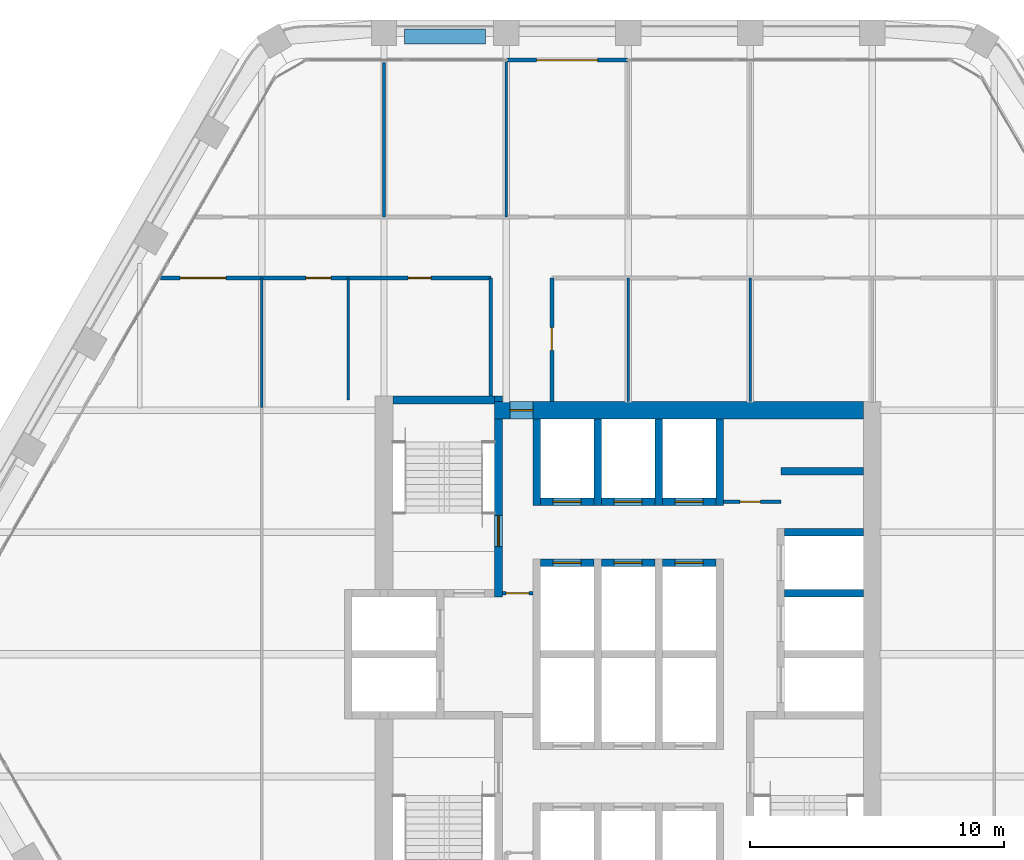
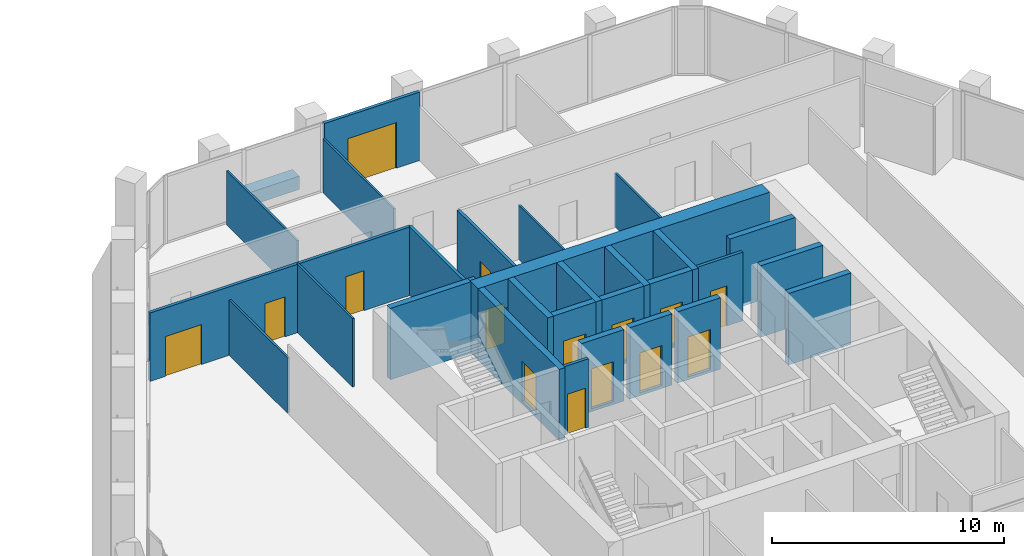
# One storey, part 14 of 18: 30 walls, 15 doors, 15 openings.
"""IFC4 building model written with IfcOpenShell, lengths in metres."""

from ifc_helpers import new_model, si_unit, direction, frame, frame_2d, origin, place, context, subcontext, project, spatial, rectangle, extrude, material, layer, layer_set, type_object, element, fill, save


model = new_model("IFC4")

# Units and contexts
model_context = context("Model", 3, precision=1e-05, world=origin(), true_north=direction((0.0, 1.0)))
body_context = subcontext(model_context, "Body", "Model", "MODEL_VIEW")
ifc_project = project(units=[si_unit("LENGTHUNIT", "METRE"), si_unit("AREAUNIT", "SQUARE_METRE"), si_unit("VOLUMEUNIT", "CUBIC_METRE"), si_unit("PLANEANGLEUNIT", "RADIAN"), si_unit("MASSUNIT", "GRAM", prefix="KILO")], contexts=[model_context])

# Site, building, storey
site_placement = place(None, origin())
site = spatial("IfcSite", under=ifc_project, at=site_placement, CompositionType="ELEMENT")
building_placement = place(site_placement, origin())
building = spatial("IfcBuilding", under=site, at=building_placement, Name="Kolab Exchange Tower", CompositionType="ELEMENT")
storey_placement = place(building_placement, frame((0.0, 0.0, 212.89990234375)))
storey = spatial("IfcBuildingStorey", under=building, at=storey_placement, Name="L46", CompositionType="ELEMENT", Elevation=212.89990234375)

# Wall, opening, door
ifc_material_1 = material(Name="Concrete C60/75", Category="concrete")
ifc_layer_1 = layer(ifc_material_1, 0.699951171875)
ifc_layer_set_1 = layer_set([ifc_layer_1], Name="Concrete C60/75")
wall_type_1 = type_object("IfcWallType", Name="CORE WALL 700 C60/75", PredefinedType="SHEAR", material=ifc_layer_set_1)
wall_1_placement = place(storey_placement, frame((-5.25, 9.60009765625, -0.14990234375), z_axis=(0.0, 0.0, 1.0), x_axis=(1.0, 0.0, 0.0)))
wall_1 = element("IfcWall", 1, at=wall_1_placement, inside=storey, type_object=wall_type_1, Name="wall/L46/core/031", PredefinedType="SHEAR", context=body_context, shape_type="SweptSolid", body=[
    extrude(rectangle(XDim=14.5, YDim=0.699951171875, at=frame_2d((7.25, 0.0))), origin(), (0.0, 0.0, 1.0), 3.75),
])
opening_1_placement = place(wall_1_placement, frame((0.60009765625, 0.0, 0.14990234375)))
opening_1 = element("IfcOpeningElement", 2, at=opening_1_placement, cuts=wall_1, Name="Opening D6-290", PredefinedType="OPENING", context=body_context, shape_type="SweptSolid", body=[
    extrude(rectangle(XDim=0.89990234375, YDim=2.10009765625, at=frame_2d((0.449951171875, 1.050048828125))), frame((0.0, 0.35986328125, 0.0), z_axis=(0.0, -1.0, 0.0), x_axis=(1.0, 0.0, 0.0)), (0.0, 0.0, 1.0), 0.719970703125),
])
ifc_material_2 = material(Name="Steel S235", Category="steel")
door_type_1 = type_object("IfcDoorType", Name="CORE DOOR 900 EI 120", OperationType="SINGLE_SWING_LEFT", PredefinedType="DOOR", material=ifc_material_2)
door_1_placement = place(opening_1_placement, frame((0.89990234375, 0.0, 0.0), z_axis=(0.0, 0.0, 1.0), x_axis=(-1.0, 0.0, 0.0)))
door_1 = element("IfcDoor", 3, at=door_1_placement, inside=storey, type_object=door_type_1, Name="Core lobby door", OperationType="SINGLE_SWING_RIGHT", OverallHeight=2.10009765625, OverallWidth=0.89990234375, PredefinedType="DOOR", context=body_context, shape_type="SweptSolid", body=[
    extrude(rectangle(XDim=0.89990234375, YDim=2.10009765625, at=frame_2d((0.449951171875, 1.050048828125))), frame((0.0, 0.02490234375, 0.0), z_axis=(0.0, -1.0, 0.0), x_axis=(1.0, 0.0, 0.0)), (0.0, 0.0, 1.0), 0.050048828125),
])
fill(opening_1, door_1)

ifc_material_3 = material(Name="Aluminium EN AW-6063 T6", Category="aluminium")
ifc_layer_2 = layer(ifc_material_3, 0.159912109375)
ifc_layer_set_2 = layer_set([ifc_layer_2], Name="Aluminium EN AW-6063 T6")
wall_type_2 = type_object("IfcWallType", Name="DOOR SURROUND WALL 160 ALUMINIUM FRAMED", PredefinedType="PARTITIONING", material=ifc_layer_set_2)
wall_2_placement = place(storey_placement, frame((-4.77001953125, 23.361572265625, 0.0), z_axis=(0.0, 0.0, 1.0), x_axis=(1.0, 0.0, 0.0)))
wall_2 = element("IfcWall", 4, at=wall_2_placement, inside=storey, type_object=wall_type_2, Name="Door surround wall", PredefinedType="PARTITIONING", context=body_context, shape_type="SweptSolid", body=[
    extrude(rectangle(XDim=4.739990234375, YDim=0.159912109375, at=frame_2d((2.3701171875, 0.0))), origin(), (0.0, 0.0, 1.0), 3.60009765625),
])
opening_2_placement = place(wall_2_placement, frame((1.169921875, 0.0, 0.0)))
opening_2 = element("IfcOpeningElement", 5, at=opening_2_placement, cuts=wall_2, Name="Opening GD1-070", PredefinedType="OPENING", context=body_context, shape_type="SweptSolid", body=[
    extrude(rectangle(XDim=2.39990234375, YDim=2.39990234375, at=frame_2d((1.199951171875, 1.199951171875))), frame((0.0, 0.08984375, 0.0), z_axis=(0.0, -1.0, 0.0), x_axis=(1.0, 0.0, 0.0)), (0.0, 0.0, 1.0), 0.179931640625),
])
door_type_2 = type_object("IfcDoorType", Name="LOGGIA SLIDING GLASS DOOR 2400 X 2400", OperationType="DOUBLE_DOOR_SINGLE_SWING", PredefinedType="DOOR", material=ifc_material_3)
door_2_placement = place(opening_2_placement, origin())
door_2 = element("IfcDoor", 6, at=door_2_placement, inside=storey, type_object=door_type_2, Name="Loggia door", OperationType="DOUBLE_DOOR_SLIDING", OverallHeight=2.39990234375, OverallWidth=2.39990234375, PredefinedType="DOOR", context=body_context, shape_type="SweptSolid", body=[
    extrude(rectangle(XDim=2.39990234375, YDim=2.39990234375, at=frame_2d((1.199951171875, 1.199951171875))), frame((0.0, 0.02490234375, 0.0), z_axis=(0.0, -1.0, 0.0), x_axis=(1.0, 0.0, 0.0)), (0.0, 0.0, 1.0), 0.050048828125),
])
fill(opening_2, door_2)

# Wall
ifc_material_4 = material(Name="Concrete C50/60", Category="concrete")
ifc_layer_3 = layer(ifc_material_4, 0.300048828125)
ifc_layer_set_3 = layer_set([ifc_layer_3], Name="Concrete C50/60")
wall_type_3 = type_object("IfcWallType", Name="LIFT SHAFT WALL 300 C50/60", PredefinedType="STANDARD", material=ifc_layer_set_3)
wall_3_placement = place(storey_placement, frame((6.14990234375, 2.39990234375, -0.14990234375), z_axis=(0.0, 0.0, 1.0), x_axis=(1.0, 0.0, 0.0)))
element("IfcWall", 7, at=wall_3_placement, inside=storey, type_object=wall_type_3, Name="wall/L46/core/022", PredefinedType="STANDARD", context=body_context, shape_type="SweptSolid", body=[
    extrude(rectangle(XDim=3.10009765625, YDim=0.300048828125, at=frame_2d((1.550048828125, 0.0))), origin(), (0.0, 0.0, 1.0), 3.75),
])

# Wall, opening, door
wall_4_placement = place(storey_placement, frame((-3.449951171875, 3.60009765625, -0.14990234375), z_axis=(0.0, 0.0, 1.0), x_axis=(1.0, 0.0, 0.0)))
wall_4 = element("IfcWall", 8, at=wall_4_placement, inside=storey, type_object=wall_type_3, Name="wall/L46/core/023", PredefinedType="STANDARD", context=body_context, shape_type="SweptSolid", body=[
    extrude(rectangle(XDim=2.099853515625, YDim=0.300048828125, at=frame_2d((1.0498046875, 0.0))), origin(), (0.0, 0.0, 1.0), 3.75),
])
opening_3_placement = place(wall_4_placement, frame((0.5, 0.0, 0.14990234375)))
opening_3 = element("IfcOpeningElement", 9, at=opening_3_placement, cuts=wall_4, Name="Opening LD1-127", PredefinedType="OPENING", context=body_context, shape_type="SweptSolid", body=[
    extrude(rectangle(XDim=1.10009765625, YDim=2.10009765625, at=frame_2d((0.550048828125, 1.050048828125))), frame((0.0, 0.16015625, 0.0), z_axis=(0.0, -1.0, 0.0), x_axis=(1.0, 0.0, 0.0)), (0.0, 0.0, 1.0), 0.320068359375),
])
ifc_material_5 = material(Name="Stainless steel 316", Category="steel")
door_type_3 = type_object("IfcDoorType", Name="LANDING DOOR 1100 PASSENGER", OperationType="DOUBLE_DOOR_SLIDING", PredefinedType="DOOR", material=ifc_material_5)
door_3_placement = place(opening_3_placement, origin())
door_3 = element("IfcDoor", 10, at=door_3_placement, inside=storey, type_object=door_type_3, Name="Landing door HR4", OperationType="DOUBLE_DOOR_SLIDING", OverallHeight=2.10009765625, OverallWidth=1.10009765625, PredefinedType="DOOR", context=body_context, shape_type="SweptSolid", body=[
    extrude(rectangle(XDim=1.10009765625, YDim=2.10009765625, at=frame_2d((0.550048828125, 1.050048828125))), frame((0.0, 0.02490234375, 0.0), z_axis=(0.0, -1.0, 0.0), x_axis=(1.0, 0.0, 0.0)), (0.0, 0.0, 1.0), 0.050048828125),
])
fill(opening_3, door_3)

wall_5_placement = place(storey_placement, frame((-1.050048828125, 3.60009765625, -0.14990234375), z_axis=(0.0, 0.0, 1.0), x_axis=(1.0, 0.0, 0.0)))
wall_5 = element("IfcWall", 11, at=wall_5_placement, inside=storey, type_object=wall_type_3, Name="wall/L46/core/024", PredefinedType="STANDARD", context=body_context, shape_type="SweptSolid", body=[
    extrude(rectangle(XDim=2.10009765625, YDim=0.300048828125, at=frame_2d((1.050048828125, 0.0))), origin(), (0.0, 0.0, 1.0), 3.75),
])
opening_4_placement = place(wall_5_placement, frame((0.5, 0.0, 0.14990234375)))
opening_4 = element("IfcOpeningElement", 12, at=opening_4_placement, cuts=wall_5, Name="Opening LD1-128", PredefinedType="OPENING", context=body_context, shape_type="SweptSolid", body=[
    extrude(rectangle(XDim=1.10009765625, YDim=2.10009765625, at=frame_2d((0.550048828125, 1.050048828125))), frame((0.0, 0.16015625, 0.0), z_axis=(0.0, -1.0, 0.0), x_axis=(1.0, 0.0, 0.0)), (0.0, 0.0, 1.0), 0.320068359375),
])
door_4_placement = place(opening_4_placement, origin())
door_4 = element("IfcDoor", 13, at=door_4_placement, inside=storey, type_object=door_type_3, Name="Landing door HR5", OperationType="DOUBLE_DOOR_SLIDING", OverallHeight=2.10009765625, OverallWidth=1.10009765625, PredefinedType="DOOR", context=body_context, shape_type="SweptSolid", body=[
    extrude(rectangle(XDim=1.10009765625, YDim=2.10009765625, at=frame_2d((0.550048828125, 1.050048828125))), frame((0.0, 0.02490234375, 0.0), z_axis=(0.0, -1.0, 0.0), x_axis=(1.0, 0.0, 0.0)), (0.0, 0.0, 1.0), 0.050048828125),
])
fill(opening_4, door_4)

wall_6_placement = place(storey_placement, frame((1.35009765625, 3.60009765625, -0.14990234375), z_axis=(0.0, 0.0, 1.0), x_axis=(1.0, 0.0, 0.0)))
wall_6 = element("IfcWall", 14, at=wall_6_placement, inside=storey, type_object=wall_type_3, Name="wall/L46/core/025", PredefinedType="STANDARD", context=body_context, shape_type="SweptSolid", body=[
    extrude(rectangle(XDim=2.099853515625, YDim=0.300048828125, at=frame_2d((1.0498046875, 0.0))), origin(), (0.0, 0.0, 1.0), 3.75),
])
opening_5_placement = place(wall_6_placement, frame((0.5, 0.0, 0.14990234375)))
opening_5 = element("IfcOpeningElement", 15, at=opening_5_placement, cuts=wall_6, Name="Opening LD1-129", PredefinedType="OPENING", context=body_context, shape_type="SweptSolid", body=[
    extrude(rectangle(XDim=1.10009765625, YDim=2.10009765625, at=frame_2d((0.550048828125, 1.050048828125))), frame((0.0, 0.16015625, 0.0), z_axis=(0.0, -1.0, 0.0), x_axis=(1.0, 0.0, 0.0)), (0.0, 0.0, 1.0), 0.320068359375),
])
door_5_placement = place(opening_5_placement, origin())
door_5 = element("IfcDoor", 16, at=door_5_placement, inside=storey, type_object=door_type_3, Name="Landing door HR6", OperationType="DOUBLE_DOOR_SLIDING", OverallHeight=2.10009765625, OverallWidth=1.10009765625, PredefinedType="DOOR", context=body_context, shape_type="SweptSolid", body=[
    extrude(rectangle(XDim=1.10009765625, YDim=2.10009765625, at=frame_2d((0.550048828125, 1.050048828125))), frame((0.0, 0.02490234375, 0.0), z_axis=(0.0, -1.0, 0.0), x_axis=(1.0, 0.0, 0.0)), (0.0, 0.0, 1.0), 0.050048828125),
])
fill(opening_5, door_5)

# Wall
wall_7_placement = place(storey_placement, frame((6.14990234375, 4.800048828125, -0.14990234375), z_axis=(0.0, 0.0, 1.0), x_axis=(1.0, 0.0, 0.0)))
element("IfcWall", 17, at=wall_7_placement, inside=storey, type_object=wall_type_3, Name="wall/L46/core/026", PredefinedType="STANDARD", context=body_context, shape_type="SweptSolid", body=[
    extrude(rectangle(XDim=3.10009765625, YDim=0.300048828125, at=frame_2d((1.550048828125, 0.0))), origin(), (0.0, 0.0, 1.0), 3.75),
])

# Wall, opening, door
wall_8_placement = place(storey_placement, frame((-3.449951171875, 6.0, -0.14990234375), z_axis=(0.0, 0.0, 1.0), x_axis=(1.0, 0.0, 0.0)))
wall_8 = element("IfcWall", 18, at=wall_8_placement, inside=storey, type_object=wall_type_3, Name="wall/L46/core/027", PredefinedType="STANDARD", context=body_context, shape_type="SweptSolid", body=[
    extrude(rectangle(XDim=2.099853515625, YDim=0.300048828125, at=frame_2d((1.0498046875, 0.0))), origin(), (0.0, 0.0, 1.0), 3.75),
])
opening_6_placement = place(wall_8_placement, frame((0.5, 0.0, 0.14990234375)))
opening_6 = element("IfcOpeningElement", 19, at=opening_6_placement, cuts=wall_8, Name="Opening LD1-121", PredefinedType="OPENING", context=body_context, shape_type="SweptSolid", body=[
    extrude(rectangle(XDim=1.10009765625, YDim=2.10009765625, at=frame_2d((0.550048828125, 1.050048828125))), frame((0.0, 0.16015625, 0.0), z_axis=(0.0, -1.0, 0.0), x_axis=(1.0, 0.0, 0.0)), (0.0, 0.0, 1.0), 0.320068359375),
])
door_6_placement = place(opening_6_placement, origin())
door_6 = element("IfcDoor", 20, at=door_6_placement, inside=storey, type_object=door_type_3, Name="Landing door HR1", OperationType="DOUBLE_DOOR_SLIDING", OverallHeight=2.10009765625, OverallWidth=1.10009765625, PredefinedType="DOOR", context=body_context, shape_type="SweptSolid", body=[
    extrude(rectangle(XDim=1.10009765625, YDim=2.10009765625, at=frame_2d((0.550048828125, 1.050048828125))), frame((0.0, 0.02490234375, 0.0), z_axis=(0.0, -1.0, 0.0), x_axis=(1.0, 0.0, 0.0)), (0.0, 0.0, 1.0), 0.050048828125),
])
fill(opening_6, door_6)

wall_9_placement = place(storey_placement, frame((-1.050048828125, 6.0, -0.14990234375), z_axis=(0.0, 0.0, 1.0), x_axis=(1.0, 0.0, 0.0)))
wall_9 = element("IfcWall", 21, at=wall_9_placement, inside=storey, type_object=wall_type_3, Name="wall/L46/core/028", PredefinedType="STANDARD", context=body_context, shape_type="SweptSolid", body=[
    extrude(rectangle(XDim=2.10009765625, YDim=0.300048828125, at=frame_2d((1.050048828125, 0.0))), origin(), (0.0, 0.0, 1.0), 3.75),
])
opening_7_placement = place(wall_9_placement, frame((0.5, 0.0, 0.14990234375)))
opening_7 = element("IfcOpeningElement", 22, at=opening_7_placement, cuts=wall_9, Name="Opening LD1-125", PredefinedType="OPENING", context=body_context, shape_type="SweptSolid", body=[
    extrude(rectangle(XDim=1.10009765625, YDim=2.10009765625, at=frame_2d((0.550048828125, 1.050048828125))), frame((0.0, 0.16015625, 0.0), z_axis=(0.0, -1.0, 0.0), x_axis=(1.0, 0.0, 0.0)), (0.0, 0.0, 1.0), 0.320068359375),
])
door_7_placement = place(opening_7_placement, origin())
door_7 = element("IfcDoor", 23, at=door_7_placement, inside=storey, type_object=door_type_3, Name="Landing door HR2", OperationType="DOUBLE_DOOR_SLIDING", OverallHeight=2.10009765625, OverallWidth=1.10009765625, PredefinedType="DOOR", context=body_context, shape_type="SweptSolid", body=[
    extrude(rectangle(XDim=1.10009765625, YDim=2.10009765625, at=frame_2d((0.550048828125, 1.050048828125))), frame((0.0, 0.02490234375, 0.0), z_axis=(0.0, -1.0, 0.0), x_axis=(1.0, 0.0, 0.0)), (0.0, 0.0, 1.0), 0.050048828125),
])
fill(opening_7, door_7)

wall_10_placement = place(storey_placement, frame((1.35009765625, 6.0, -0.14990234375), z_axis=(0.0, 0.0, 1.0), x_axis=(1.0, 0.0, 0.0)))
wall_10 = element("IfcWall", 24, at=wall_10_placement, inside=storey, type_object=wall_type_3, Name="wall/L46/core/029", PredefinedType="STANDARD", context=body_context, shape_type="SweptSolid", body=[
    extrude(rectangle(XDim=2.099853515625, YDim=0.300048828125, at=frame_2d((1.0498046875, 0.0))), origin(), (0.0, 0.0, 1.0), 3.75),
])
opening_8_placement = place(wall_10_placement, frame((0.5, 0.0, 0.14990234375)))
opening_8 = element("IfcOpeningElement", 25, at=opening_8_placement, cuts=wall_10, Name="Opening LD1-126", PredefinedType="OPENING", context=body_context, shape_type="SweptSolid", body=[
    extrude(rectangle(XDim=1.10009765625, YDim=2.10009765625, at=frame_2d((0.550048828125, 1.050048828125))), frame((0.0, 0.16015625, 0.0), z_axis=(0.0, -1.0, 0.0), x_axis=(1.0, 0.0, 0.0)), (0.0, 0.0, 1.0), 0.320068359375),
])
door_8_placement = place(opening_8_placement, origin())
door_8 = element("IfcDoor", 26, at=door_8_placement, inside=storey, type_object=door_type_3, Name="Landing door HR3", OperationType="DOUBLE_DOOR_SLIDING", OverallHeight=2.10009765625, OverallWidth=1.10009765625, PredefinedType="DOOR", context=body_context, shape_type="SweptSolid", body=[
    extrude(rectangle(XDim=1.10009765625, YDim=2.10009765625, at=frame_2d((0.550048828125, 1.050048828125))), frame((0.0, 0.02490234375, 0.0), z_axis=(0.0, -1.0, 0.0), x_axis=(1.0, 0.0, 0.0)), (0.0, 0.0, 1.0), 0.050048828125),
])
fill(opening_8, door_8)

# Walls
wall_11_placement = place(storey_placement, frame((6.0, 7.199951171875, -0.14990234375), z_axis=(0.0, 0.0, 1.0), x_axis=(1.0, 0.0, 0.0)))
element("IfcWall", 27, at=wall_11_placement, inside=storey, type_object=wall_type_3, Name="wall/L46/core/030", PredefinedType="STANDARD", context=body_context, shape_type="SweptSolid", body=[
    extrude(rectangle(XDim=3.25, YDim=0.300048828125, at=frame_2d((1.625, 0.0))), origin(), (0.0, 0.0, 1.0), 3.75),
])
for number, where, z_axis, x_axis, name in (
    (28, (-3.60009765625, 5.85009765625, -0.14990234375), (0.0, 0.0, 1.0), (0.0, 1.0, 0.0), "wall/L46/core/045"),
    (29, (-1.199951171875, 5.85009765625, -0.14990234375), (0.0, 0.0, 1.0), (0.0, 1.0, 0.0), "wall/L46/core/048"),
    (30, (1.199951171875, 5.85009765625, -0.14990234375), (0.0, 0.0, 1.0), (0.0, 1.0, 0.0), "wall/L46/core/051"),
    (31, (3.60009765625, 5.85009765625, -0.14990234375), (0.0, 0.0, 1.0), (0.0, 1.0, 0.0), "wall/L46/core/054"),
):
    element("IfcWall", number, at=place(storey_placement, frame(where, z_axis=z_axis, x_axis=x_axis)), inside=storey, type_object=wall_type_3, Name=name, PredefinedType="STANDARD", context=body_context, shape_type="SweptSolid", body=[
        extrude(rectangle(XDim=3.39990234375, YDim=0.300048828125, at=frame_2d((1.699951171875, 0.0))), origin(), (0.0, 0.0, 1.0), 3.75),
    ])
ifc_material_6 = material(Name="Gypsum board", Category="gypsum")
ifc_layer_4 = layer(ifc_material_6, 0.10009765625)
ifc_layer_set_4 = layer_set([ifc_layer_4], Name="Gypsum board")
wall_type_4 = type_object("IfcWallType", Name="PARTITION 100", PredefinedType="PARTITIONING", material=ifc_layer_set_4)
for number, where, z_axis, x_axis, name in (
    (32, (4.800048828125, 9.949951171875, 0.0), (0.0, 0.0, 1.0), (0.0, 1.0, 0.0), "Partition 004"),
    (33, (0.0, 9.949951171875, 0.0), (0.0, 0.0, 1.0), (0.0, 1.0, 0.0), "Partition 008"),
):
    element("IfcWall", number, at=place(storey_placement, frame(where, z_axis=z_axis, x_axis=x_axis)), inside=storey, type_object=wall_type_4, Name=name, PredefinedType="PARTITIONING", context=body_context, shape_type="SweptSolid", body=[
        extrude(rectangle(XDim=4.85009765625, YDim=0.10009765625, at=frame_2d((2.425048828125, 0.0))), origin(), (0.0, 0.0, 1.0), 2.838134765625),
    ])
wall_12_placement = place(storey_placement, frame((-4.800048828125, 17.199951171875, 0.0), z_axis=(0.0, 0.0, 1.0), x_axis=(0.0, 1.0, 0.0)))
element("IfcWall", 34, at=wall_12_placement, inside=storey, type_object=wall_type_4, Name="Partition 012", PredefinedType="PARTITIONING", context=body_context, shape_type="SweptSolid", body=[
    extrude(rectangle(XDim=6.08154296875, YDim=0.10009765625, at=frame_2d((3.040771484375, 0.0))), origin(), (0.0, 0.0, 1.0), 2.838134765625),
])
wall_13_placement = place(storey_placement, frame((-9.60009765625, 17.199951171875, 0.0), z_axis=(0.0, 0.0, 1.0), x_axis=(0.0, 1.0, 0.0)))
element("IfcWall", 35, at=wall_13_placement, inside=storey, type_object=wall_type_4, Name="Partition 015", PredefinedType="PARTITIONING", context=body_context, shape_type="SweptSolid", body=[
    extrude(rectangle(XDim=6.071533203125, YDim=0.10009765625, at=frame_2d((3.03564453125, 0.0))), origin(), (0.0, 0.0, 1.0), 2.838134765625),
])
wall_14_placement = place(storey_placement, frame((-11.0, 10.0, 0.0), z_axis=(0.0, 0.0, 1.0), x_axis=(0.0, 1.0, 0.0)))
element("IfcWall", 36, at=wall_14_placement, inside=storey, type_object=wall_type_4, Name="Partition 017", PredefinedType="PARTITIONING", context=body_context, shape_type="SweptSolid", body=[
    extrude(rectangle(XDim=4.800048828125, YDim=0.10009765625, at=frame_2d((2.39990234375, 0.0))), origin(), (0.0, 0.0, 1.0), 3.60009765625),
])
wall_15_placement = place(storey_placement, frame((-14.39990234375, 9.7060546875, 0.0), z_axis=(0.0, 0.0, 1.0), x_axis=(0.0, 1.0, 0.0)))
element("IfcWall", 37, at=wall_15_placement, inside=storey, type_object=wall_type_4, Name="Partition 018", PredefinedType="PARTITIONING", context=body_context, shape_type="SweptSolid", body=[
    extrude(rectangle(XDim=5.093994140625, YDim=0.10009765625, at=frame_2d((2.546875, 0.0))), origin(), (0.0, 0.0, 1.0), 2.916015625),
])

# Wall, opening, door
ifc_layer_5 = layer(ifc_material_6, 0.14990234375)
ifc_layer_set_5 = layer_set([ifc_layer_5], Name="Gypsum board")
wall_type_5 = type_object("IfcWallType", Name="PARTITION 150 FIRE-RATED", PredefinedType="PARTITIONING", material=ifc_layer_set_5)
wall_16_placement = place(storey_placement, frame((-3.0, 9.949951171875, 0.0), z_axis=(0.0, 0.0, 1.0), x_axis=(0.0, 1.0, 0.0)))
wall_16 = element("IfcWall", 38, at=wall_16_placement, inside=storey, type_object=wall_type_5, Name="Partition 010", PredefinedType="PARTITIONING", context=body_context, shape_type="SweptSolid", body=[
    extrude(rectangle(XDim=4.85009765625, YDim=0.14990234375, at=frame_2d((2.425048828125, 0.0))), origin(), (0.0, 0.0, 1.0), 3.60009765625),
])
opening_9_placement = place(wall_16_placement, frame((2.0, 0.0, 0.0)))
opening_9 = element("IfcOpeningElement", 39, at=opening_9_placement, cuts=wall_16, Name="Opening D3-066", PredefinedType="OPENING", context=body_context, shape_type="SweptSolid", body=[
    extrude(rectangle(XDim=0.89990234375, YDim=2.10009765625, at=frame_2d((0.449951171875, 1.050048828125))), frame((0.0, 0.0849609375, 0.0), z_axis=(0.0, -1.0, 0.0), x_axis=(1.0, 0.0, 0.0)), (0.0, 0.0, 1.0), 0.169921875),
])
door_type_4 = type_object("IfcDoorType", Name="FLUSH DOOR 900 FD60", OperationType="SINGLE_SWING_LEFT", PredefinedType="DOOR", material=ifc_material_2)
door_9_placement = place(opening_9_placement, frame((0.89990234375, 0.0, 0.0), z_axis=(0.0, 0.0, 1.0), x_axis=(-1.0, 0.0, 0.0)))
door_9 = element("IfcDoor", 40, at=door_9_placement, inside=storey, type_object=door_type_4, Name="Door L46-031", OperationType="SINGLE_SWING_LEFT", OverallHeight=2.10009765625, OverallWidth=0.89990234375, PredefinedType="DOOR", context=body_context, shape_type="SweptSolid", body=[
    extrude(rectangle(XDim=0.89990234375, YDim=2.10009765625, at=frame_2d((0.449951171875, 1.050048828125))), frame((0.0, 0.02490234375, 0.0), z_axis=(0.0, -1.0, 0.0), x_axis=(1.0, 0.0, 0.0)), (0.0, 0.0, 1.0), 0.050048828125),
])
fill(opening_9, door_9)

# Wall
wall_17_placement = place(storey_placement, frame((-5.39990234375, 10.14990234375, 0.0), z_axis=(0.0, 0.0, 1.0), x_axis=(0.0, 1.0, 0.0)))
element("IfcWall", 41, at=wall_17_placement, inside=storey, type_object=wall_type_5, Name="Partition 014", PredefinedType="PARTITIONING", context=body_context, shape_type="SweptSolid", body=[
    extrude(rectangle(XDim=4.650146484375, YDim=0.14990234375, at=frame_2d((2.3251953125, 0.0))), origin(), (0.0, 0.0, 1.0), 3.60009765625),
])

# Wall, opening, door
wall_18_placement = place(storey_placement, frame((3.75, 6.0, 0.0), z_axis=(0.0, 0.0, 1.0), x_axis=(1.0, 0.0, 0.0)))
wall_18 = element("IfcWall", 42, at=wall_18_placement, inside=storey, type_object=wall_type_5, Name="Partition 028", PredefinedType="PARTITIONING", context=body_context, shape_type="SweptSolid", body=[
    extrude(rectangle(XDim=2.25, YDim=0.14990234375, at=frame_2d((1.125, 0.0))), origin(), (0.0, 0.0, 1.0), 3.60009765625),
])
opening_10_placement = place(wall_18_placement, frame((0.64990234375, 0.0, 0.0)))
opening_10 = element("IfcOpeningElement", 43, at=opening_10_placement, cuts=wall_18, Name="Opening D7-037", PredefinedType="OPENING", context=body_context, shape_type="SweptSolid", body=[
    extrude(rectangle(XDim=0.800048828125, YDim=2.10009765625, at=frame_2d((0.39990234375, 1.050048828125))), frame((0.0, 0.0849609375, 0.0), z_axis=(0.0, -1.0, 0.0), x_axis=(1.0, 0.0, 0.0)), (0.0, 0.0, 1.0), 0.169921875),
])
door_type_5 = type_object("IfcDoorType", Name="FLUSH DOOR 800 FD60", OperationType="SINGLE_SWING_LEFT", PredefinedType="DOOR", material=ifc_material_2)
door_10_placement = place(opening_10_placement, origin())
door_10 = element("IfcDoor", 44, at=door_10_placement, inside=storey, type_object=door_type_5, Name="Door L46-023", OperationType="SINGLE_SWING_LEFT", OverallHeight=2.10009765625, OverallWidth=0.800048828125, PredefinedType="DOOR", context=body_context, shape_type="SweptSolid", body=[
    extrude(rectangle(XDim=0.800048828125, YDim=2.10009765625, at=frame_2d((0.39990234375, 1.050048828125))), frame((0.0, 0.02490234375, 0.0), z_axis=(0.0, -1.0, 0.0), x_axis=(1.0, 0.0, 0.0)), (0.0, 0.0, 1.0), 0.050048828125),
])
fill(opening_10, door_10)

# Wall, openings, doors
wall_19_placement = place(storey_placement, frame((-18.384521484375, 14.800048828125, 0.0), z_axis=(0.0, 0.0, 1.0), x_axis=(1.0, 0.0, 0.0)))
wall_19 = element("IfcWall", 45, at=wall_19_placement, inside=storey, type_object=wall_type_5, Name="Partition 029", PredefinedType="PARTITIONING", context=body_context, shape_type="SweptSolid", body=[
    extrude(rectangle(XDim=12.984619140625, YDim=0.14990234375, at=frame_2d((6.4921875, 0.0))), origin(), (0.0, 0.0, 1.0), 3.60009765625),
])
opening_11_placement = place(wall_19_placement, frame((9.734619140625, 0.0, 0.0)))
opening_11 = element("IfcOpeningElement", 46, at=opening_11_placement, cuts=wall_19, Name="Opening D3-068", PredefinedType="OPENING", context=body_context, shape_type="SweptSolid", body=[
    extrude(rectangle(XDim=0.89990234375, YDim=2.10009765625, at=frame_2d((0.449951171875, 1.050048828125))), frame((0.0, 0.0849609375, 0.0), z_axis=(0.0, -1.0, 0.0), x_axis=(1.0, 0.0, 0.0)), (0.0, 0.0, 1.0), 0.169921875),
])
opening_12_placement = place(wall_19_placement, frame((0.764404296875, 0.0, 0.0)))
opening_12 = element("IfcOpeningElement", 47, at=opening_12_placement, cuts=wall_19, Name="Opening D2-062", PredefinedType="OPENING", context=body_context, shape_type="SweptSolid", body=[
    extrude(rectangle(XDim=1.800048828125, YDim=2.10009765625, at=frame_2d((0.89990234375, 1.050048828125))), frame((0.0, 0.0849609375, 0.0), z_axis=(0.0, -1.0, 0.0), x_axis=(1.0, 0.0, 0.0)), (0.0, 0.0, 1.0), 0.169921875),
])
opening_13_placement = place(wall_19_placement, frame((5.709716796875, 0.0, 0.0)))
opening_13 = element("IfcOpeningElement", 48, at=opening_13_placement, cuts=wall_19, Name="Opening D1-604", PredefinedType="OPENING", context=body_context, shape_type="SweptSolid", body=[
    extrude(rectangle(XDim=1.0, YDim=2.10009765625, at=frame_2d((0.5, 1.050048828125))), frame((0.0, 0.0849609375, 0.0), z_axis=(0.0, -1.0, 0.0), x_axis=(1.0, 0.0, 0.0)), (0.0, 0.0, 1.0), 0.169921875),
])
door_type_6 = type_object("IfcDoorType", Name="DOUBLE DOOR 1800 FD60", OperationType="DOUBLE_DOOR_SINGLE_SWING", PredefinedType="DOOR", material=ifc_material_2)
door_11_placement = place(opening_12_placement, frame((1.800048828125, 0.0, 0.0), z_axis=(0.0, 0.0, 1.0), x_axis=(-1.0, 0.0, 0.0)))
door_11 = element("IfcDoor", 49, at=door_11_placement, inside=storey, type_object=door_type_6, Name="Door L46-048", OperationType="SINGLE_SWING_LEFT", OverallHeight=2.10009765625, OverallWidth=1.800048828125, PredefinedType="DOOR", context=body_context, shape_type="SweptSolid", body=[
    extrude(rectangle(XDim=1.800048828125, YDim=2.10009765625, at=frame_2d((0.89990234375, 1.050048828125))), frame((0.0, 0.02490234375, 0.0), z_axis=(0.0, -1.0, 0.0), x_axis=(1.0, 0.0, 0.0)), (0.0, 0.0, 1.0), 0.050048828125),
])
fill(opening_12, door_11)
door_type_7 = type_object("IfcDoorType", Name="FLUSH DOOR 1000 FD60", OperationType="SINGLE_SWING_LEFT", PredefinedType="DOOR", material=ifc_material_2)
door_12_placement = place(opening_13_placement, frame((1.0, 0.0, 0.0), z_axis=(0.0, 0.0, 1.0), x_axis=(-1.0, 0.0, 0.0)))
door_12 = element("IfcDoor", 50, at=door_12_placement, inside=storey, type_object=door_type_7, Name="Door L46-049", OperationType="SINGLE_SWING_RIGHT", OverallHeight=2.10009765625, OverallWidth=1.0, PredefinedType="DOOR", context=body_context, shape_type="SweptSolid", body=[
    extrude(rectangle(XDim=1.0, YDim=2.10009765625, at=frame_2d((0.5, 1.050048828125))), frame((0.0, 0.02490234375, 0.0), z_axis=(0.0, -1.0, 0.0), x_axis=(1.0, 0.0, 0.0)), (0.0, 0.0, 1.0), 0.050048828125),
])
fill(opening_13, door_12)
door_13_placement = place(opening_11_placement, frame((0.89990234375, 0.0, 0.0), z_axis=(0.0, 0.0, 1.0), x_axis=(-1.0, 0.0, 0.0)))
door_13 = element("IfcDoor", 51, at=door_13_placement, inside=storey, type_object=door_type_4, Name="Door L46-034", OperationType="SINGLE_SWING_RIGHT", OverallHeight=2.10009765625, OverallWidth=0.89990234375, PredefinedType="DOOR", context=body_context, shape_type="SweptSolid", body=[
    extrude(rectangle(XDim=0.89990234375, YDim=2.10009765625, at=frame_2d((0.449951171875, 1.050048828125))), frame((0.0, 0.02490234375, 0.0), z_axis=(0.0, -1.0, 0.0), x_axis=(1.0, 0.0, 0.0)), (0.0, 0.0, 1.0), 0.050048828125),
])
fill(opening_11, door_13)

# Wall, opening, door
wall_20_placement = place(storey_placement, frame((-4.949951171875, 2.39990234375, 0.0), z_axis=(0.0, 0.0, 1.0), x_axis=(1.0, 0.0, 0.0)))
wall_20 = element("IfcWall", 52, at=wall_20_placement, inside=storey, type_object=wall_type_5, Name="Fire partition", PredefinedType="PARTITIONING", context=body_context, shape_type="SweptSolid", body=[
    extrude(rectangle(XDim=1.199951171875, YDim=0.14990234375, at=frame_2d((0.60009765625, 0.0))), origin(), (0.0, 0.0, 1.0), 3.60009765625),
])
opening_14_placement = place(wall_20_placement, frame((0.14990234375, 0.0, 0.0)))
opening_14 = element("IfcOpeningElement", 53, at=opening_14_placement, cuts=wall_20, Name="Opening D6-292", PredefinedType="OPENING", context=body_context, shape_type="SweptSolid", body=[
    extrude(rectangle(XDim=0.89990234375, YDim=2.10009765625, at=frame_2d((0.449951171875, 1.050048828125))), frame((0.0, 0.0849609375, 0.0), z_axis=(0.0, -1.0, 0.0), x_axis=(1.0, 0.0, 0.0)), (0.0, 0.0, 1.0), 0.169921875),
])
door_14_placement = place(opening_14_placement, frame((0.89990234375, 0.0, 0.0), z_axis=(0.0, 0.0, 1.0), x_axis=(-1.0, 0.0, 0.0)))
door_14 = element("IfcDoor", 54, at=door_14_placement, inside=storey, type_object=door_type_1, Name="Firefighting lobby door", OperationType="SINGLE_SWING_RIGHT", OverallHeight=2.10009765625, OverallWidth=0.89990234375, PredefinedType="DOOR", context=body_context, shape_type="SweptSolid", body=[
    extrude(rectangle(XDim=0.89990234375, YDim=2.10009765625, at=frame_2d((0.449951171875, 1.050048828125))), frame((0.0, 0.02490234375, 0.0), z_axis=(0.0, -1.0, 0.0), x_axis=(1.0, 0.0, 0.0)), (0.0, 0.0, 1.0), 0.050048828125),
])
fill(opening_14, door_14)

# Walls
ifc_material_7 = material(Name="Granite facing", Category="masonry")
ifc_layer_6 = layer(ifc_material_7, 0.0400390625)
ifc_material_8 = material(Name="Concrete C40/50 precast", Category="concrete")
ifc_layer_7 = layer(ifc_material_8, 0.56005859375)
ifc_layer_set_6 = layer_set([ifc_layer_6, ifc_layer_7], Name="Concrete C40/50 precast")
wall_type_6 = type_object("IfcWallType", Name="PLANTER BOX 600 X 700 SOIL DEPTH 550", PredefinedType="USERDEFINED", material=ifc_layer_set_6)
wall_21_placement = place(storey_placement, frame((-8.800048828125, 24.29150390625, 0.0), z_axis=(0.0, 0.0, 1.0), x_axis=(1.0, 0.0, 0.0)))
element("IfcWall", 55, at=wall_21_placement, inside=storey, type_object=wall_type_6, Name="Planter", ObjectType="PLANTER", PredefinedType="USERDEFINED", context=body_context, shape_type="SweptSolid", body=[
    extrude(rectangle(XDim=3.199951171875, YDim=0.60009765625, at=frame_2d((1.60009765625, 0.0))), origin(), (0.0, 0.0, 1.0), 0.7001953125),
])
ifc_layer_8 = layer(ifc_material_4, 0.300048828125)
ifc_layer_set_7 = layer_set([ifc_layer_8], Name="Concrete C50/60")
wall_type_7 = type_object("IfcWallType", Name="STAIR ENCLOSURE WALL 300 C50/60", PredefinedType="STANDARD", material=ifc_layer_set_7)
wall_22_placement = place(storey_placement, frame((-9.25, 10.0, -0.14990234375), z_axis=(0.0, 0.0, 1.0), x_axis=(1.0, 0.0, 0.0)))
element("IfcWall", 56, at=wall_22_placement, inside=storey, type_object=wall_type_7, Name="wall/L46/core/032", PredefinedType="STANDARD", context=body_context, shape_type="SweptSolid", body=[
    extrude(rectangle(XDim=4.0, YDim=0.300048828125, at=frame_2d((2.0, 0.0))), origin(), (0.0, 0.0, 1.0), 3.75),
])

# Wall, opening, door
wall_23_placement = place(storey_placement, frame((-5.10009765625, 2.25, -0.14990234375), z_axis=(0.0, 0.0, 1.0), x_axis=(0.0, 1.0, 0.0)))
wall_23 = element("IfcWall", 57, at=wall_23_placement, inside=storey, type_object=wall_type_7, Name="wall/L46/core/041", PredefinedType="STANDARD", context=body_context, shape_type="SweptSolid", body=[
    extrude(rectangle(XDim=7.0, YDim=0.300048828125, at=frame_2d((3.5, 0.0))), origin(), (0.0, 0.0, 1.0), 3.75),
])
opening_15_placement = place(wall_23_placement, frame((2.0, 0.0, 0.14990234375)))
opening_15 = element("IfcOpeningElement", 58, at=opening_15_placement, cuts=wall_23, Name="Opening D4-070", PredefinedType="OPENING", context=body_context, shape_type="SweptSolid", body=[
    extrude(rectangle(XDim=1.199951171875, YDim=2.10009765625, at=frame_2d((0.60009765625, 1.050048828125))), frame((0.0, 0.16015625, 0.0), z_axis=(0.0, -1.0, 0.0), x_axis=(1.0, 0.0, 0.0)), (0.0, 0.0, 1.0), 0.320068359375),
])
door_type_8 = type_object("IfcDoorType", Name="STAIR DOOR 1200 EI 120", OperationType="SINGLE_SWING_LEFT", PredefinedType="DOOR", material=ifc_material_2)
door_15_placement = place(opening_15_placement, origin())
door_15 = element("IfcDoor", 59, at=door_15_placement, inside=storey, type_object=door_type_8, Name="Stair 1 door", OperationType="SINGLE_SWING_LEFT", OverallHeight=2.10009765625, OverallWidth=1.199951171875, PredefinedType="DOOR", context=body_context, shape_type="SweptSolid", body=[
    extrude(rectangle(XDim=1.199951171875, YDim=2.10009765625, at=frame_2d((0.60009765625, 1.050048828125))), frame((0.0, 0.02490234375, 0.0), z_axis=(0.0, -1.0, 0.0), x_axis=(1.0, 0.0, 0.0)), (0.0, 0.0, 1.0), 0.050048828125),
])
fill(opening_15, door_15)

# Wall
wall_24_placement = place(storey_placement, frame((-5.10009765625, 9.949951171875, -0.14990234375), z_axis=(0.0, 0.0, 1.0), x_axis=(0.0, 1.0, 0.0)))
element("IfcWall", 60, at=wall_24_placement, inside=storey, type_object=wall_type_7, Name="wall/L46/core/042", PredefinedType="STANDARD", context=body_context, shape_type="SweptSolid", body=[
    extrude(rectangle(XDim=0.199951171875, YDim=0.300048828125, at=frame_2d((0.10009765625, 0.0))), origin(), (0.0, 0.0, 1.0), 3.75),
])

save(model, "model.ifc")
